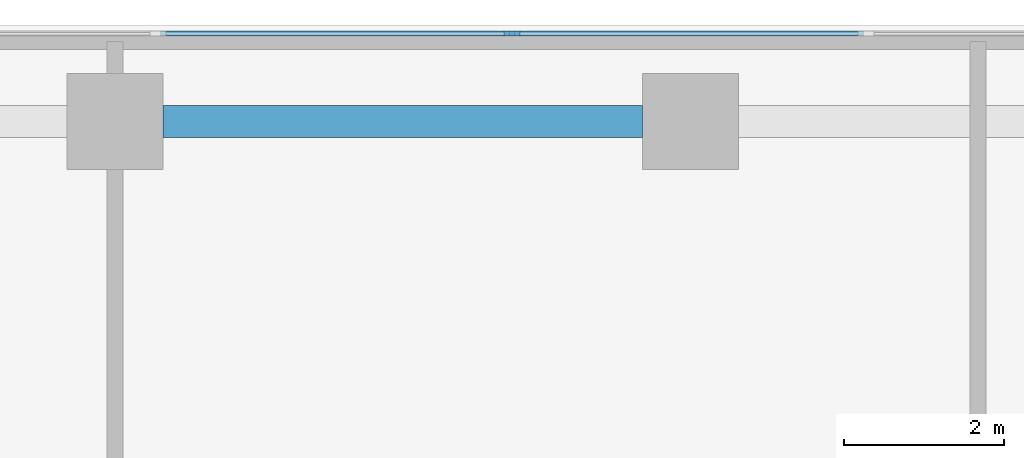
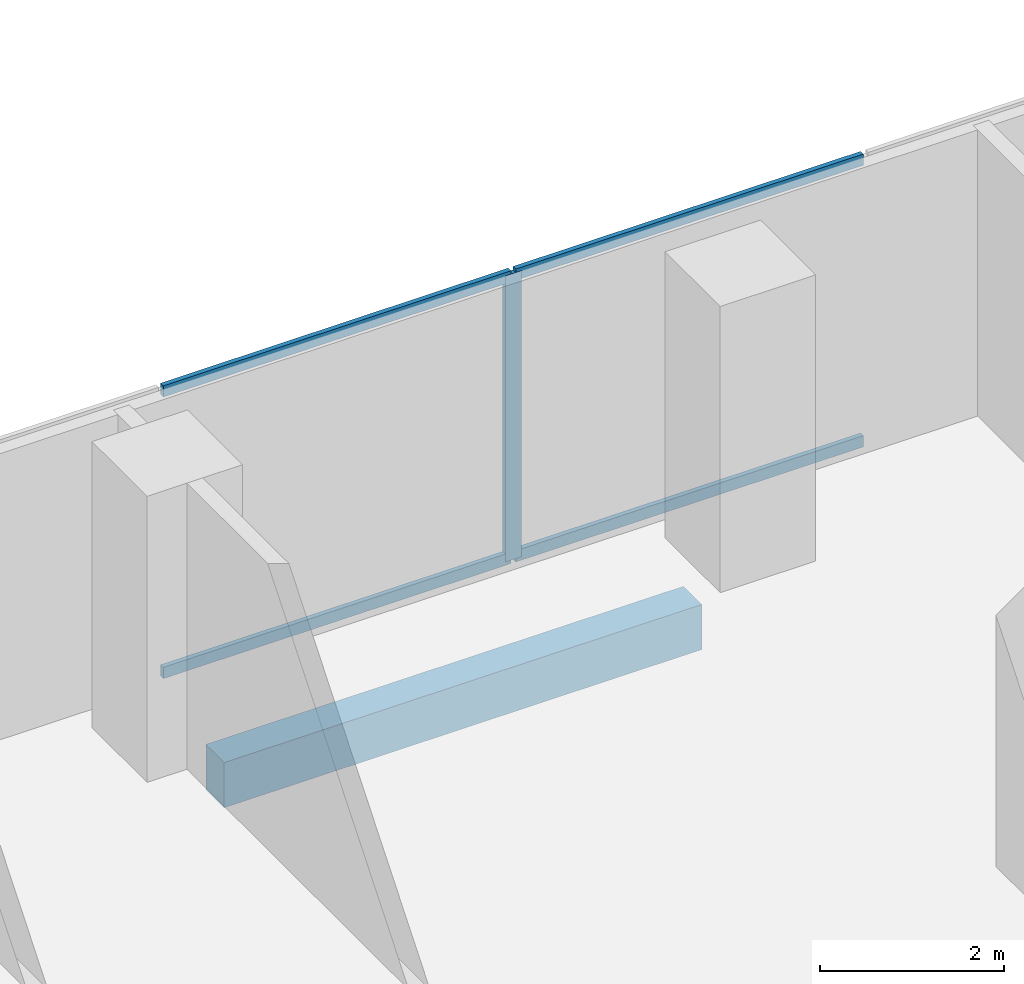
# One storey, part 6 of 27: 5 members, 1 beam, 1 element without a shape of its own.
"""IFC4 building model written with IfcOpenShell, lengths in metres."""

from ifc_helpers import new_model, si_unit, direction, frame, origin, origin_2d, place, context, subcontext, project, spatial, rectangle, extrude, material, material_profile, profile_set, type_object, element, aggregate, save


model = new_model("IFC4")

# Units and contexts
model_context = context("Model", 3, precision=1e-05, world=origin(), true_north=direction((0.0, 1.0)))
body_context = subcontext(model_context, "Body", "Model", "MODEL_VIEW")
ifc_project = project(units=[si_unit("LENGTHUNIT", "METRE"), si_unit("AREAUNIT", "SQUARE_METRE"), si_unit("VOLUMEUNIT", "CUBIC_METRE"), si_unit("PLANEANGLEUNIT", "RADIAN"), si_unit("MASSUNIT", "GRAM", prefix="KILO")], contexts=[model_context])

# Site, building, storey
site_placement = place(None, origin())
site = spatial("IfcSite", under=ifc_project, at=site_placement, CompositionType="ELEMENT")
building_placement = place(site_placement, origin())
building = spatial("IfcBuilding", under=site, at=building_placement, Name="Windrow Commons", CompositionType="ELEMENT")
storey_placement = place(building_placement, frame((0.0, 0.0, 6.0)))
storey = spatial("IfcBuildingStorey", under=building, at=storey_placement, Name="L01", CompositionType="ELEMENT", Elevation=6.0)

# Curtain wall, members
ifc_material_1 = material(Name="Clear laminated glass in Aluminium 6063-T6 anodised frame", Category="aluminium")
curtain_wall_type = type_object("IfcCurtainWallType", Name="Curtain wall CW1 podium study hall", PredefinedType="USERDEFINED", material=ifc_material_1)
curtain_wall_placement = place(storey_placement, origin())
curtain_wall = element("IfcCurtainWall", 1, at=curtain_wall_placement, inside=storey, type_object=curtain_wall_type, Name="Curtain wall CW1 L01 5", ObjectType="STICK", PredefinedType="USERDEFINED")
ifc_material_2 = material(Name="Aluminium 6063-T6", Category="aluminium")
ifc_material_profile_1 = material_profile(ifc_material_2, rectangle(XDim=0.06, YDim=0.2, at=origin_2d()))
ifc_profile_set_1 = profile_set([ifc_material_profile_1], Name="Aluminium 6063-T6")
member_type_1 = type_object("IfcMemberType", Name="CW1 mullion 60x200", PredefinedType="MULLION", material=ifc_profile_set_1)
member_1_placement = place(storey_placement, frame((26.5657, 73.1, 0.0), z_axis=(0.0, 0.0, 1.0), x_axis=(0.0, -1.0, 0.0)))
member_1 = element("IfcMember", 2, at=member_1_placement, type_object=member_type_1, Name="CW1 mullion 13", PredefinedType="MULLION", context=body_context, shape_type="SweptSolid", body=[
    extrude(rectangle(XDim=0.06, YDim=0.2, at=origin_2d()), origin(), (0.0, 0.0, 1.0), 3.8),
])
ifc_material_3 = material(Name="Aluminium 6063-T6", Category="aluminium")
ifc_material_profile_2 = material_profile(ifc_material_3, rectangle(XDim=0.06, YDim=0.15, at=origin_2d()))
ifc_profile_set_2 = profile_set([ifc_material_profile_2], Name="Aluminium 6063-T6")
member_type_2 = type_object("IfcMemberType", Name="CW1 transom 60x150", PredefinedType="USERDEFINED", material=ifc_profile_set_2)
member_2_placement = place(storey_placement, frame((30.9633, 73.1, 0.03), z_axis=(-1.0, 0.0, 0.0), x_axis=(0.0, -1.0, 0.0)))
member_2 = element("IfcMember", 3, at=member_2_placement, type_object=member_type_2, Name="CW1 transom 12.1", ObjectType="TRANSOM", PredefinedType="USERDEFINED", context=body_context, shape_type="SweptSolid", body=[
    extrude(rectangle(XDim=0.06, YDim=0.15, at=origin_2d()), origin(), (0.0, 0.0, 1.0), 4.3676),
])
member_3_placement = place(storey_placement, frame((30.9633, 73.1, 3.77), z_axis=(-1.0, 0.0, 0.0), x_axis=(0.0, -1.0, 0.0)))
member_3 = element("IfcMember", 4, at=member_3_placement, type_object=member_type_2, Name="CW1 transom 12.2", ObjectType="TRANSOM", PredefinedType="USERDEFINED", context=body_context, shape_type="SweptSolid", body=[
    extrude(rectangle(XDim=0.06, YDim=0.15, at=origin_2d()), origin(), (0.0, 0.0, 1.0), 4.3676),
])
member_4_placement = place(storey_placement, frame((26.5357, 73.1, 0.03), z_axis=(-1.0, 0.0, 0.0), x_axis=(0.0, -1.0, 0.0)))
member_4 = element("IfcMember", 5, at=member_4_placement, type_object=member_type_2, Name="CW1 transom 13.1", ObjectType="TRANSOM", PredefinedType="USERDEFINED", context=body_context, shape_type="SweptSolid", body=[
    extrude(rectangle(XDim=0.06, YDim=0.15, at=origin_2d()), origin(), (0.0, 0.0, 1.0), 4.3676),
])
member_5_placement = place(storey_placement, frame((26.5357, 73.1, 3.77), z_axis=(-1.0, 0.0, 0.0), x_axis=(0.0, -1.0, 0.0)))
member_5 = element("IfcMember", 6, at=member_5_placement, type_object=member_type_2, Name="CW1 transom 13.2", ObjectType="TRANSOM", PredefinedType="USERDEFINED", context=body_context, shape_type="SweptSolid", body=[
    extrude(rectangle(XDim=0.06, YDim=0.15, at=origin_2d()), origin(), (0.0, 0.0, 1.0), 4.3676),
])
aggregate(curtain_wall, [member_1, member_2, member_3, member_4, member_5])

# Beam
ifc_material_4 = material(Name="Concrete C60/75", Category="concrete")
ifc_material_profile_3 = material_profile(ifc_material_4, rectangle(XDim=0.4, YDim=0.6, at=origin_2d()))
ifc_profile_set_3 = profile_set([ifc_material_profile_3], Name="Concrete C60/75")
beam_type = type_object("IfcBeamType", Name="RC EDGE BEAM 400x600 C60/75", PredefinedType="SPANDREL", material=ifc_profile_set_3)
beam_placement = place(storey_placement, frame((22.2, 72.0, -0.7), z_axis=(1.0, 0.0, 0.0), x_axis=(0.0, 1.0, 0.0)))
element("IfcBeam", 7, at=beam_placement, inside=storey, type_object=beam_type, Name="Edge beam L01 009", PredefinedType="SPANDREL", context=body_context, shape_type="SweptSolid", body=[
    extrude(rectangle(XDim=0.4, YDim=0.6, at=origin_2d()), origin(), (0.0, 0.0, 1.0), 6.0),
])

save(model, "model.ifc")
